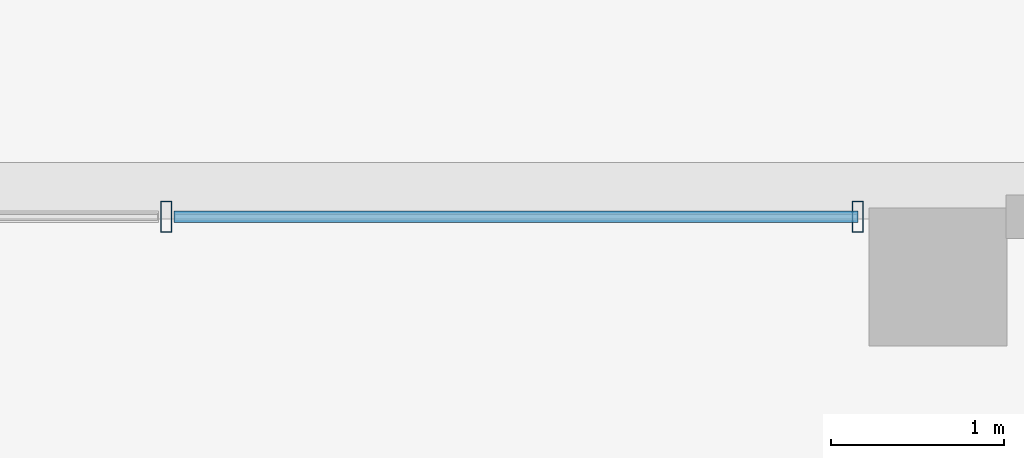
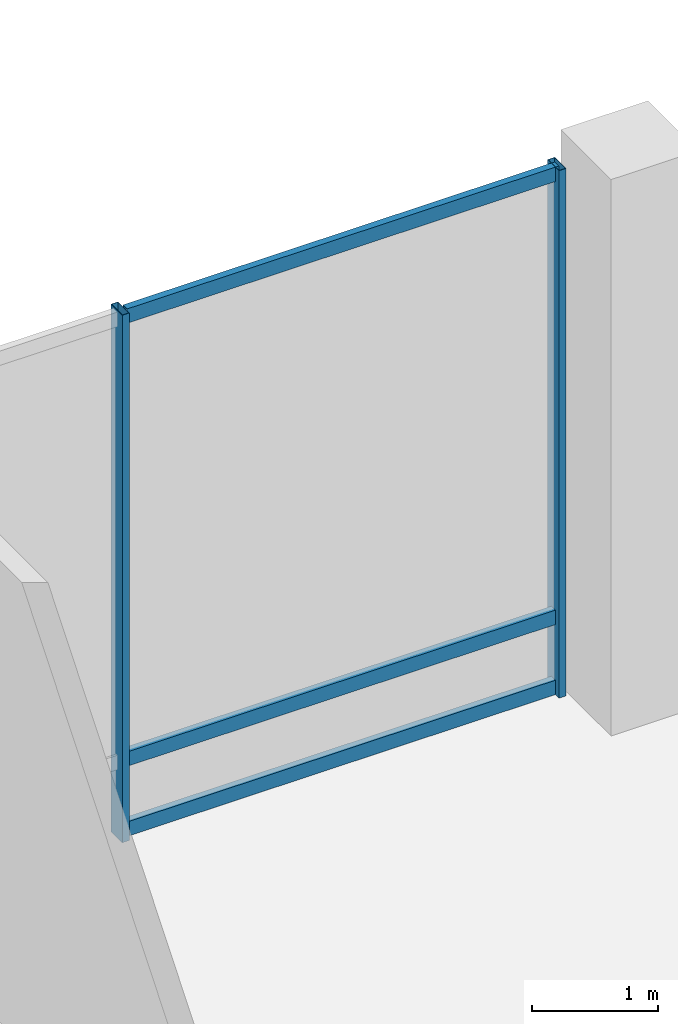
# One storey, part 13 of 32: 5 members, 1 element without a shape of its own.
"""IFC4 building model written with IfcOpenShell, lengths in metres."""

from ifc_helpers import new_model, si_unit, direction, frame, origin, origin_2d, place, context, subcontext, project, spatial, hollow_rectangle, extrude, material, layer, layer_set, material_profile, profile_set, type_object, element, aggregate, save


model = new_model("IFC4")

# Units and contexts
model_context = context("Model", 3, precision=1e-05, world=origin(), true_north=direction((0.0, 1.0)))
body_context = subcontext(model_context, "Body", "Model", "MODEL_VIEW")
ifc_project = project(units=[si_unit("LENGTHUNIT", "METRE"), si_unit("AREAUNIT", "SQUARE_METRE"), si_unit("VOLUMEUNIT", "CUBIC_METRE"), si_unit("PLANEANGLEUNIT", "RADIAN"), si_unit("MASSUNIT", "GRAM", prefix="KILO")], contexts=[model_context])

# Site, building, storey
site_placement = place(None, origin())
site = spatial("IfcSite", under=ifc_project, at=site_placement, CompositionType="ELEMENT")
building_placement = place(site_placement, origin())
building = spatial("IfcBuilding", under=site, at=building_placement, Name="Barlavira Tower and Art Museum", CompositionType="ELEMENT")
storey_placement = place(building_placement, frame((0.0, 0.0, 6.0)))
storey = spatial("IfcBuildingStorey", under=building, at=storey_placement, Name="L01", CompositionType="ELEMENT", Elevation=6.0)

# Curtain wall, members
ifc_material_1 = material(Name="Low-iron coastal laminated glass", Category="glass")
ifc_layer = layer(ifc_material_1, 0.179931640625, Name="Low-iron coastal laminated glass")
ifc_layer_set = layer_set([ifc_layer], Name="Low-iron coastal laminated glass")
curtain_wall_type = type_object("IfcCurtainWallType", Name="Pale-Metal Unitised Curtain Wall Zone 1", PredefinedType="NOTDEFINED", material=ifc_layer_set)
curtain_wall_placement = place(storey_placement, origin())
curtain_wall = element("IfcCurtainWall", 1, at=curtain_wall_placement, inside=storey, type_object=curtain_wall_type, Name="L01 Curtain Wall CW1-L01-N-B2", PredefinedType="NOTDEFINED")
ifc_material_2 = material(Name="Pale anodised aluminium", Category="aluminium")
ifc_material_profile_1 = material_profile(ifc_material_2, hollow_rectangle(XDim=0.06494140625, YDim=0.179931640625, WallThickness=0.00390625, at=origin_2d()), Name="ALU-MULL 65x180x4")
ifc_profile_set_1 = profile_set([ifc_material_profile_1], Name="Pale anodised aluminium")
member_type_1 = type_object("IfcMemberType", Name="Curtain Wall Pale-Metal Mullion 65x180", PredefinedType="MULLION", material=ifc_profile_set_1)
member_1_placement = place(storey_placement, frame((6.034912109375, 25.35009765625, 0.0), z_axis=(0.0, 0.0, 1.0), x_axis=(-1.0, 0.0, 0.0)))
member_1 = element("IfcMember", 2, at=member_1_placement, type_object=member_type_1, Name="CW1-L01-N-B2 Mullion 0", PredefinedType="MULLION", context=body_context, shape_type="SweptSolid", body=[
    extrude(hollow_rectangle(XDim=0.06494140625, YDim=0.179931640625, WallThickness=0.00390625, at=origin_2d()), origin(), (0.0, 0.0, 1.0), 5.1201171875),
])
member_2_placement = place(storey_placement, frame((2.026611328125, 25.35009765625, 0.0), z_axis=(0.0, 0.0, 1.0), x_axis=(-1.0, 0.0, 0.0)))
member_2 = element("IfcMember", 3, at=member_2_placement, type_object=member_type_1, Name="CW1-L01-N-B2 Mullion 1", PredefinedType="MULLION", context=body_context, shape_type="SweptSolid", body=[
    extrude(hollow_rectangle(XDim=0.06494140625, YDim=0.179931640625, WallThickness=0.00390625, at=origin_2d()), origin(), (0.0, 0.0, 1.0), 5.1201171875),
])
ifc_material_profile_2 = material_profile(ifc_material_2, hollow_rectangle(XDim=0.06494140625, YDim=0.139892578125, WallThickness=0.00390625, at=origin_2d()), Name="ALU-TRAN 65x140x4")
ifc_profile_set_2 = profile_set([ifc_material_profile_2], Name="Pale anodised aluminium")
member_type_2 = type_object("IfcMemberType", Name="Curtain Wall Pale-Metal Transom 65x140", PredefinedType="USERDEFINED", material=ifc_profile_set_2)
member_3_placement = place(storey_placement, frame((6.034912109375, 25.35009765625, 0.070068359375), z_axis=(-1.0, 0.0, 0.0), x_axis=(0.0, -1.0, 0.0)))
member_3 = element("IfcMember", 4, at=member_3_placement, type_object=member_type_2, Name="CW1-L01-N-B2 Transom 0.1", ObjectType="TRANSOM", PredefinedType="USERDEFINED", context=body_context, shape_type="SweptSolid", body=[
    extrude(hollow_rectangle(XDim=0.06494140625, YDim=0.139892578125, WallThickness=0.00390625, at=origin_2d()), origin(), (0.0, 0.0, 1.0), 3.963134765625),
])
member_4_placement = place(storey_placement, frame((6.034912109375, 25.35009765625, 0.75), z_axis=(-1.0, 0.0, 0.0), x_axis=(0.0, -1.0, 0.0)))
member_4 = element("IfcMember", 5, at=member_4_placement, type_object=member_type_2, Name="CW1-L01-N-B2 Transom 0.2", ObjectType="TRANSOM", PredefinedType="USERDEFINED", context=body_context, shape_type="SweptSolid", body=[
    extrude(hollow_rectangle(XDim=0.06494140625, YDim=0.139892578125, WallThickness=0.00390625, at=origin_2d()), origin(), (0.0, 0.0, 1.0), 3.963134765625),
])
member_5_placement = place(storey_placement, frame((6.034912109375, 25.35009765625, 5.050048828125), z_axis=(-1.0, 0.0, 0.0), x_axis=(0.0, -1.0, 0.0)))
member_5 = element("IfcMember", 6, at=member_5_placement, type_object=member_type_2, Name="CW1-L01-N-B2 Transom 0.3", ObjectType="TRANSOM", PredefinedType="USERDEFINED", context=body_context, shape_type="SweptSolid", body=[
    extrude(hollow_rectangle(XDim=0.06494140625, YDim=0.139892578125, WallThickness=0.00390625, at=origin_2d()), origin(), (0.0, 0.0, 1.0), 3.963134765625),
])
aggregate(curtain_wall, [member_1, member_2, member_3, member_4, member_5])

save(model, "model.ifc")
